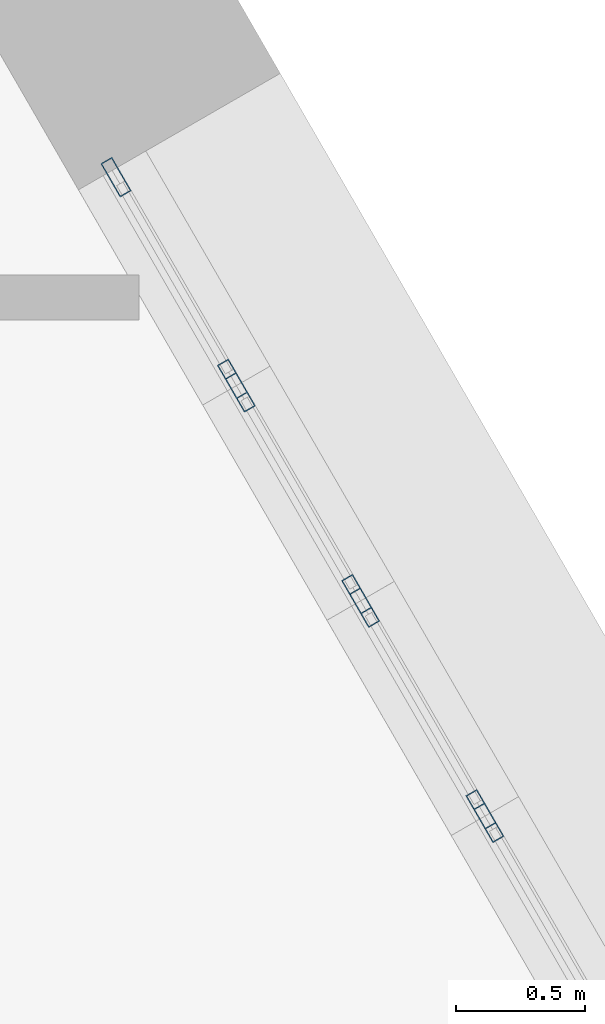
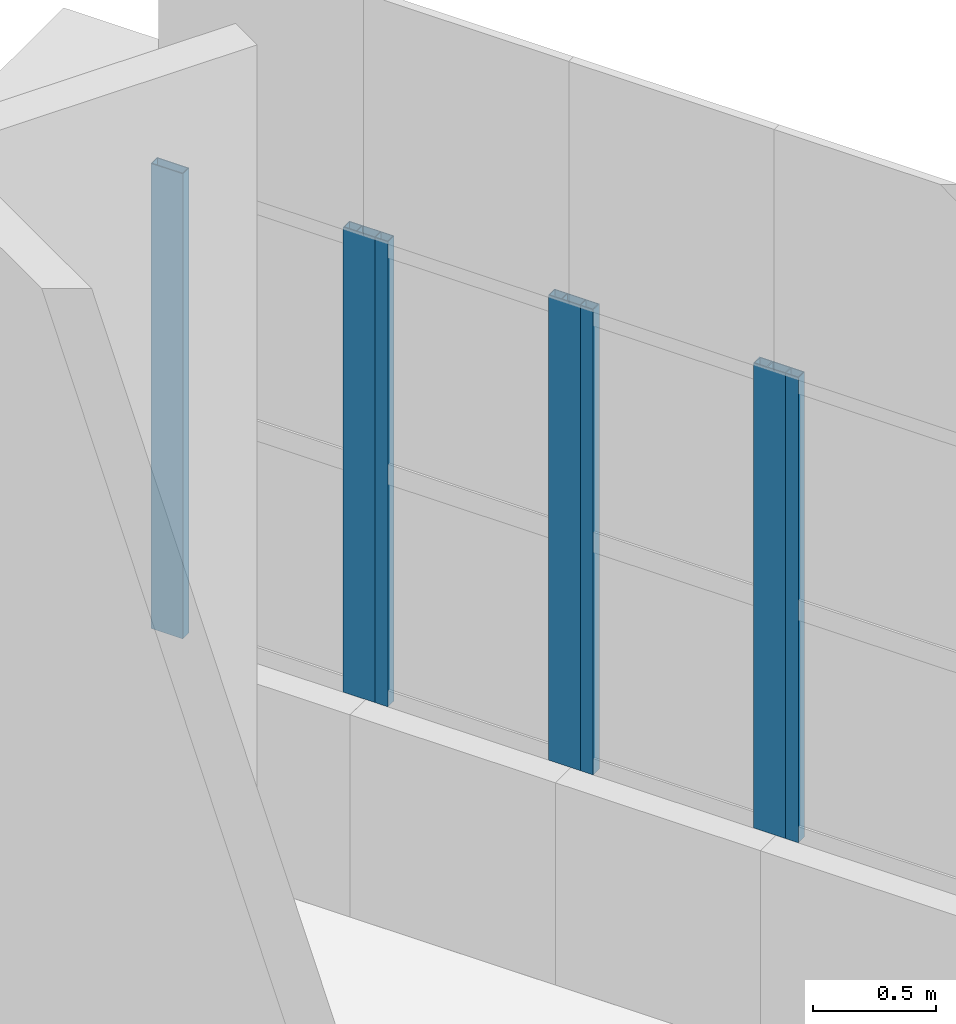
# One storey, part 6 of 20: 7 members, 4 elements without a shape of their own.
"""IFC4 building model written with IfcOpenShell, lengths in metres."""

from ifc_helpers import new_model, si_unit, direction, frame, origin, origin_2d, place, context, subcontext, project, spatial, hollow_rectangle, extrude, material, material_profile, profile_set, type_object, element, aggregate, save


model = new_model("IFC4")

# Units and contexts
model_context = context("Model", 3, precision=1e-05, world=origin(), true_north=direction((0.0, 1.0)))
body_context = subcontext(model_context, "Body", "Model", "MODEL_VIEW")
ifc_project = project(units=[si_unit("LENGTHUNIT", "METRE"), si_unit("AREAUNIT", "SQUARE_METRE"), si_unit("VOLUMEUNIT", "CUBIC_METRE"), si_unit("PLANEANGLEUNIT", "RADIAN"), si_unit("MASSUNIT", "GRAM", prefix="KILO")], contexts=[model_context])

# Site, building, storey
site_placement = place(None, origin())
site = spatial("IfcSite", under=ifc_project, at=site_placement, CompositionType="ELEMENT")
building_placement = place(site_placement, origin())
building = spatial("IfcBuilding", under=site, at=building_placement, Name="Ostrander Bayou Hotel Tower", CompositionType="ELEMENT")
storey_placement = place(building_placement, frame((0.0, 0.0, 284.0)))
storey = spatial("IfcBuildingStorey", under=building, at=storey_placement, Name="L70", CompositionType="ELEMENT", Elevation=284.0)

# Curtain wall, member
ifc_material_1 = material(Name="Aluminium and clear glass", Category="aluminium")
curtain_wall_type = type_object("IfcCurtainWallType", Name="CW-CROWN glazed wall", PredefinedType="NOTDEFINED", material=ifc_material_1)
curtain_wall_1_placement = place(storey_placement, origin())
curtain_wall_1 = element("IfcCurtainWall", 1, at=curtain_wall_1_placement, inside=storey, type_object=curtain_wall_type, Name="CW-CROWN L70:NE-2-3", PredefinedType="NOTDEFINED")
ifc_material_2 = material(Name="Aluminium", Category="aluminium")
ifc_material_profile = material_profile(ifc_material_2, hollow_rectangle(XDim=0.050048828125, YDim=0.14990234375, WallThickness=0.00390625, at=origin_2d()))
ifc_profile_set = profile_set([ifc_material_profile], Name="Aluminium")
member_type = type_object("IfcMemberType", Name="CW-CR mullion 50 x 150 mm", PredefinedType="MULLION", material=ifc_profile_set)
member_1_placement = place(storey_placement, frame((13.34619140625, 7.6708984375, 1.0), z_axis=(0.0, 0.0, 1.0), x_axis=(-0.866048535364, -0.499959932788, 0.0)))
member_1 = element("IfcMember", 2, at=member_1_placement, type_object=member_type, Name="CW-CROWN mullion 2", PredefinedType="MULLION", context=body_context, shape_type="SweptSolid", body=[
    extrude(hollow_rectangle(XDim=0.050048828125, YDim=0.14990234375, WallThickness=0.00390625, at=origin_2d()), origin(), (0.0, 0.0, 1.0), 2.300048828125),
])
aggregate(curtain_wall_1, [member_1])

# Curtain wall, members
curtain_wall_2_placement = place(storey_placement, origin())
curtain_wall_2 = element("IfcCurtainWall", 3, at=curtain_wall_2_placement, inside=storey, type_object=curtain_wall_type, Name="CW-CROWN L70:NE-2-4", PredefinedType="NOTDEFINED")
member_2_placement = place(storey_placement, frame((13.316162109375, 7.722900390625, 1.0), z_axis=(0.0, 0.0, 1.0), x_axis=(-0.866022491007, -0.500005045044, 0.0)))
member_2 = element("IfcMember", 4, at=member_2_placement, type_object=member_type, Name="CW-CROWN mullion 1", PredefinedType="MULLION", context=body_context, shape_type="SweptSolid", body=[
    extrude(hollow_rectangle(XDim=0.050048828125, YDim=0.14990234375, WallThickness=0.00390625, at=origin_2d()), origin(), (0.0, 0.0, 1.0), 2.300048828125),
])
member_3_placement = place(storey_placement, frame((12.8662109375, 8.501953125, 1.0), z_axis=(0.0, 0.0, 1.0), x_axis=(-0.866022491007, -0.500005045044, 0.0)))
member_3 = element("IfcMember", 5, at=member_3_placement, type_object=member_type, Name="CW-CROWN mullion 2", PredefinedType="MULLION", context=body_context, shape_type="SweptSolid", body=[
    extrude(hollow_rectangle(XDim=0.050048828125, YDim=0.14990234375, WallThickness=0.00390625, at=origin_2d()), origin(), (0.0, 0.0, 1.0), 2.300048828125),
])
aggregate(curtain_wall_2, [member_2, member_3])

curtain_wall_3_placement = place(storey_placement, origin())
curtain_wall_3 = element("IfcCurtainWall", 6, at=curtain_wall_3_placement, inside=storey, type_object=curtain_wall_type, Name="CW-CROWN L70:NE-2-5", PredefinedType="NOTDEFINED")
member_4_placement = place(storey_placement, frame((12.836181640625, 8.553955078125, 1.0), z_axis=(0.0, 0.0, 1.0), x_axis=(-0.866022491007, -0.500005045044, 0.0)))
member_4 = element("IfcMember", 7, at=member_4_placement, type_object=member_type, Name="CW-CROWN mullion 1", PredefinedType="MULLION", context=body_context, shape_type="SweptSolid", body=[
    extrude(hollow_rectangle(XDim=0.050048828125, YDim=0.14990234375, WallThickness=0.00390625, at=origin_2d()), origin(), (0.0, 0.0, 1.0), 2.300048828125),
])
member_5_placement = place(storey_placement, frame((12.386474609375, 9.333251953125, 1.0), z_axis=(0.0, 0.0, 1.0), x_axis=(-0.866022491007, -0.500005045044, 0.0)))
member_5 = element("IfcMember", 8, at=member_5_placement, type_object=member_type, Name="CW-CROWN mullion 2", PredefinedType="MULLION", context=body_context, shape_type="SweptSolid", body=[
    extrude(hollow_rectangle(XDim=0.050048828125, YDim=0.14990234375, WallThickness=0.00390625, at=origin_2d()), origin(), (0.0, 0.0, 1.0), 2.300048828125),
])
aggregate(curtain_wall_3, [member_4, member_5])

curtain_wall_4_placement = place(storey_placement, origin())
curtain_wall_4 = element("IfcCurtainWall", 9, at=curtain_wall_4_placement, inside=storey, type_object=curtain_wall_type, Name="CW-CROWN L70:NE-2-6", PredefinedType="NOTDEFINED")
member_6_placement = place(storey_placement, frame((12.3564453125, 9.38525390625, 1.0), z_axis=(0.0, 0.0, 1.0), x_axis=(-0.866022491007, -0.500005045044, 0.0)))
member_6 = element("IfcMember", 10, at=member_6_placement, type_object=member_type, Name="CW-CROWN mullion 1", PredefinedType="MULLION", context=body_context, shape_type="SweptSolid", body=[
    extrude(hollow_rectangle(XDim=0.050048828125, YDim=0.14990234375, WallThickness=0.00390625, at=origin_2d()), origin(), (0.0, 0.0, 1.0), 2.300048828125),
])
member_7_placement = place(storey_placement, frame((11.906494140625, 10.164306640625, 1.0), z_axis=(0.0, 0.0, 1.0), x_axis=(-0.866022491007, -0.500005045044, 0.0)))
member_7 = element("IfcMember", 11, at=member_7_placement, type_object=member_type, Name="CW-CROWN mullion 2", PredefinedType="MULLION", context=body_context, shape_type="SweptSolid", body=[
    extrude(hollow_rectangle(XDim=0.050048828125, YDim=0.14990234375, WallThickness=0.00390625, at=origin_2d()), origin(), (0.0, 0.0, 1.0), 2.300048828125),
])
aggregate(curtain_wall_4, [member_6, member_7])

save(model, "model.ifc")
